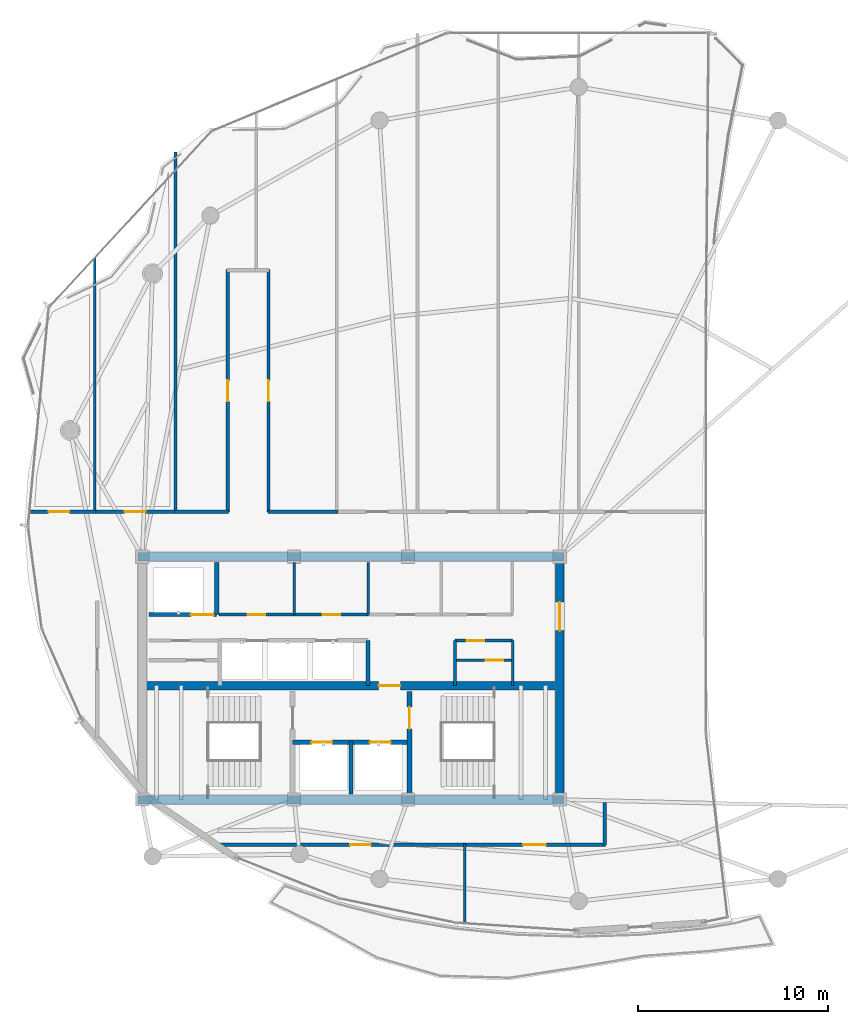
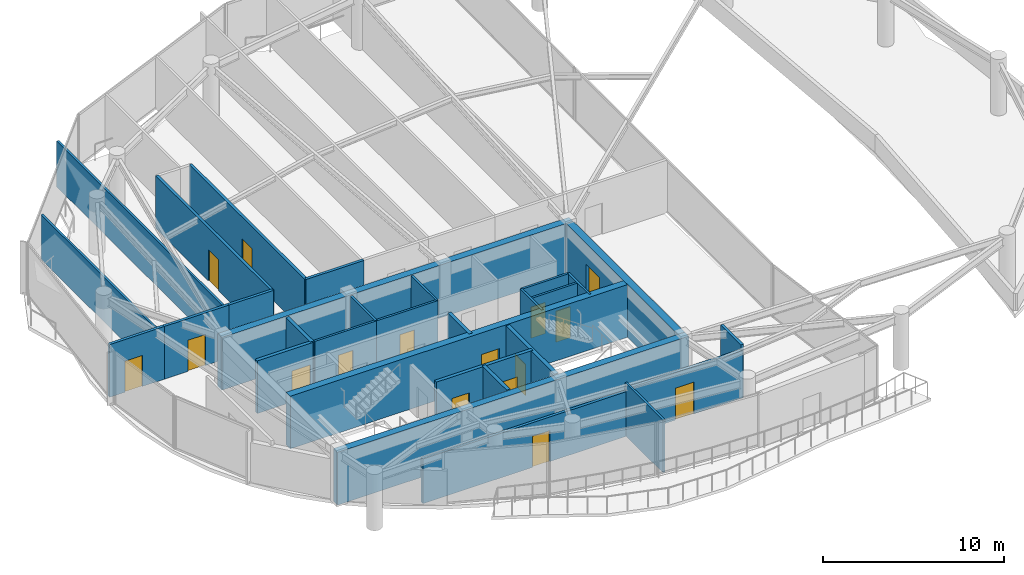
# One storey, part 19 of 23: 30 walls, 16 doors, 16 openings.
"""IFC4 building model written with IfcOpenShell, lengths in metres."""

from ifc_helpers import new_model, si_unit, direction, frame, frame_2d, origin, place, context, subcontext, project, spatial, rectangle, extrude, material, layer, layer_set, type_object, element, fill, save


model = new_model("IFC4")

# Units and contexts
model_context = context("Model", 3, precision=1e-05, world=origin(), true_north=direction((0.0, 1.0)))
body_context = subcontext(model_context, "Body", "Model", "MODEL_VIEW")
ifc_project = project(units=[si_unit("LENGTHUNIT", "METRE"), si_unit("AREAUNIT", "SQUARE_METRE"), si_unit("VOLUMEUNIT", "CUBIC_METRE"), si_unit("PLANEANGLEUNIT", "RADIAN"), si_unit("MASSUNIT", "GRAM", prefix="KILO")], contexts=[model_context])

# Site, building, storey
site_placement = place(None, origin())
site = spatial("IfcSite", under=ifc_project, at=site_placement, CompositionType="ELEMENT")
building_placement = place(site_placement, origin())
building = spatial("IfcBuilding", under=site, at=building_placement, Name="Kazevale Care Tower and Concert Hall", CompositionType="ELEMENT")
storey_placement = place(building_placement, frame((0.0, 0.0, 270.0)))
storey = spatial("IfcBuildingStorey", under=building, at=storey_placement, Name="L71", CompositionType="ELEMENT", Elevation=270.0)

# Wall, opening, door
ifc_material_1 = material(Name="Acoustic Gypsum on Steel Stud", Category="steel")
ifc_layer_1 = layer(ifc_material_1, 0.139892578125)
ifc_layer_set_1 = layer_set([ifc_layer_1], Name="Acoustic Gypsum on Steel Stud")
wall_type_1 = type_object("IfcWallType", Name="Acoustic Care & Suite Partition 140", PredefinedType="PARTITIONING", material=ifc_layer_set_1)
wall_1_placement = place(storey_placement, frame((26.050048828125, 33.35009765625, 0.0), z_axis=(0.0, 0.0, 1.0), x_axis=(1.0, 0.0, 0.0)))
wall_1 = element("IfcWall", 1, at=wall_1_placement, inside=storey, type_object=wall_type_1, Name="wall:L71:c_rpl1_s", PredefinedType="PARTITIONING", context=body_context, shape_type="SweptSolid", body=[
    extrude(rectangle(XDim=3.949951171875, YDim=0.139892578125, at=frame_2d((1.97509765625, 0.0))), origin(), (0.0, 0.0, 1.0), 3.56005859375),
])
opening_1_placement = place(wall_1_placement, frame((1.514892578125, 0.0, 0.0)))
opening_1 = element("IfcOpeningElement", 2, at=opening_1_placement, cuts=wall_1, Name="Opening ID-900", PredefinedType="OPENING", context=body_context, shape_type="SweptSolid", body=[
    extrude(rectangle(XDim=0.919921875, YDim=2.10009765625, at=frame_2d((0.4599609375, 1.050048828125))), frame((0.0, 0.079833984375, 0.0), z_axis=(0.0, -1.0, 0.0), x_axis=(1.0, 0.0, 0.0)), (0.0, 0.0, 1.0), 0.159912109375),
])
ifc_material_2 = material(Name="Oak Timber Fire Leaf", Category="wood")
door_type_1 = type_object("IfcDoorType", Name="Bathroom & Service Door 920x2100", OperationType="NOTDEFINED", PredefinedType="DOOR", material=ifc_material_2)
door_1_placement = place(opening_1_placement, origin())
door_1 = element("IfcDoor", 3, at=door_1_placement, inside=storey, type_object=door_type_1, Name="door:L71:d_rpl1", OperationType="SINGLE_SWING_LEFT", OverallHeight=2.10009765625, OverallWidth=0.919921875, PredefinedType="DOOR", context=body_context, shape_type="SweptSolid", body=[
    extrude(rectangle(XDim=0.919921875, YDim=2.10009765625, at=frame_2d((0.4599609375, 1.050048828125))), frame((0.0, 0.02490234375, 0.0), z_axis=(0.0, -1.0, 0.0), x_axis=(1.0, 0.0, 0.0)), (0.0, 0.0, 1.0), 0.050048828125),
])
fill(opening_1, door_1)

wall_2_placement = place(storey_placement, frame((30.0, 33.35009765625, 0.0), z_axis=(0.0, 0.0, 1.0), x_axis=(1.0, 0.0, 0.0)))
wall_2 = element("IfcWall", 4, at=wall_2_placement, inside=storey, type_object=wall_type_1, Name="wall:L71:c_rpl2_s", PredefinedType="PARTITIONING", context=body_context, shape_type="SweptSolid", body=[
    extrude(rectangle(XDim=3.919921875, YDim=0.139892578125, at=frame_2d((1.9599609375, 0.0))), origin(), (0.0, 0.0, 1.0), 3.56005859375),
])
opening_2_placement = place(wall_2_placement, frame((1.5, 0.0, 0.0)))
opening_2 = element("IfcOpeningElement", 5, at=opening_2_placement, cuts=wall_2, Name="Opening ID-900", PredefinedType="OPENING", context=body_context, shape_type="SweptSolid", body=[
    extrude(rectangle(XDim=0.919921875, YDim=2.10009765625, at=frame_2d((0.4599609375, 1.050048828125))), frame((0.0, 0.079833984375, 0.0), z_axis=(0.0, -1.0, 0.0), x_axis=(1.0, 0.0, 0.0)), (0.0, 0.0, 1.0), 0.159912109375),
])
door_2_placement = place(opening_2_placement, origin())
door_2 = element("IfcDoor", 6, at=door_2_placement, inside=storey, type_object=door_type_1, Name="door:L71:d_rpl2", OperationType="SINGLE_SWING_RIGHT", OverallHeight=2.10009765625, OverallWidth=0.919921875, PredefinedType="DOOR", context=body_context, shape_type="SweptSolid", body=[
    extrude(rectangle(XDim=0.919921875, YDim=2.10009765625, at=frame_2d((0.4599609375, 1.050048828125))), frame((0.0, 0.02490234375, 0.0), z_axis=(0.0, -1.0, 0.0), x_axis=(1.0, 0.0, 0.0)), (0.0, 0.0, 1.0), 0.050048828125),
])
fill(opening_2, door_2)

# Walls
for number, where, z_axis, x_axis, name in (
    (7, (30.0, 33.35009765625, 0.0), (0.0, 0.0, 1.0), (0.0, 1.0, 0.0), "wall:L71:c_rpl_m"),
    (8, (33.89990234375, 33.35009765625, 0.0), (0.0, 0.0, 1.0), (0.0, 1.0, 0.0), "wall:L71:c_rpl_e"),
):
    element("IfcWall", number, at=place(storey_placement, frame(where, z_axis=z_axis, x_axis=x_axis)), inside=storey, type_object=wall_type_1, Name=name, PredefinedType="PARTITIONING", context=body_context, shape_type="SweptSolid", body=[
        extrude(rectangle(XDim=2.75, YDim=0.139892578125, at=frame_2d((1.375, 0.0))), origin(), (0.0, 0.0, 1.0), 3.56005859375),
    ])
for number, where, z_axis, x_axis, name in (
    (9, (38.47998046875, 29.6201171875, 0.0), (0.0, 0.0, 1.0), (0.0, 1.0, 0.0), "wall:L71:kc_ew"),
    (10, (41.52001953125, 29.6201171875, 0.0), (0.0, 0.0, 1.0), (0.0, 1.0, 0.0), "wall:L71:kc_ee"),
):
    element("IfcWall", number, at=place(storey_placement, frame(where, z_axis=z_axis, x_axis=x_axis)), inside=storey, type_object=wall_type_1, Name=name, PredefinedType="PARTITIONING", context=body_context, shape_type="SweptSolid", body=[
        extrude(rectangle(XDim=2.35986328125, YDim=0.139892578125, at=frame_2d((1.179931640625, 0.0))), origin(), (0.0, 0.0, 1.0), 3.56005859375),
    ])

# Wall, opening, door
wall_3_placement = place(storey_placement, frame((38.47998046875, 30.949951171875, 0.0), z_axis=(0.0, 0.0, 1.0), x_axis=(1.0, 0.0, 0.0)))
wall_3 = element("IfcWall", 11, at=wall_3_placement, inside=storey, type_object=wall_type_1, Name="wall:L71:kc_em", PredefinedType="PARTITIONING", context=body_context, shape_type="SweptSolid", body=[
    extrude(rectangle(XDim=3.0400390625, YDim=0.139892578125, at=frame_2d((1.52001953125, 0.0))), origin(), (0.0, 0.0, 1.0), 3.56005859375),
])
opening_3_placement = place(wall_3_placement, frame((1.616943359375, 0.0, 0.0)))
opening_3 = element("IfcOpeningElement", 12, at=opening_3_placement, cuts=wall_3, Name="Opening ID-900", PredefinedType="OPENING", context=body_context, shape_type="SweptSolid", body=[
    extrude(rectangle(XDim=0.919921875, YDim=2.10009765625, at=frame_2d((0.4599609375, 1.050048828125))), frame((0.0, 0.079833984375, 0.0), z_axis=(0.0, -1.0, 0.0), x_axis=(1.0, 0.0, 0.0)), (0.0, 0.0, 1.0), 0.159912109375),
])
door_3_placement = place(opening_3_placement, origin())
door_3 = element("IfcDoor", 13, at=door_3_placement, inside=storey, type_object=door_type_1, Name="door:L71:d_kceb", OperationType="SINGLE_SWING_RIGHT", OverallHeight=2.10009765625, OverallWidth=0.919921875, PredefinedType="DOOR", context=body_context, shape_type="SweptSolid", body=[
    extrude(rectangle(XDim=0.919921875, YDim=2.10009765625, at=frame_2d((0.4599609375, 1.050048828125))), frame((0.0, 0.02490234375, 0.0), z_axis=(0.0, -1.0, 0.0), x_axis=(1.0, 0.0, 0.0)), (0.0, 0.0, 1.0), 0.050048828125),
])
fill(opening_3, door_3)

wall_4_placement = place(storey_placement, frame((38.47998046875, 31.97998046875, 0.0), z_axis=(0.0, 0.0, 1.0), x_axis=(1.0, 0.0, 0.0)))
wall_4 = element("IfcWall", 14, at=wall_4_placement, inside=storey, type_object=wall_type_1, Name="wall:L71:kc_en", PredefinedType="PARTITIONING", context=body_context, shape_type="SweptSolid", body=[
    extrude(rectangle(XDim=3.0400390625, YDim=0.139892578125, at=frame_2d((1.52001953125, 0.0))), origin(), (0.0, 0.0, 1.0), 3.56005859375),
])
opening_4_placement = place(wall_4_placement, frame((0.614013671875, 0.0, 0.0)))
opening_4 = element("IfcOpeningElement", 15, at=opening_4_placement, cuts=wall_4, Name="Opening ID-900", PredefinedType="OPENING", context=body_context, shape_type="SweptSolid", body=[
    extrude(rectangle(XDim=0.919921875, YDim=2.10009765625, at=frame_2d((0.4599609375, 1.050048828125))), frame((0.0, 0.079833984375, 0.0), z_axis=(0.0, -1.0, 0.0), x_axis=(1.0, 0.0, 0.0)), (0.0, 0.0, 1.0), 0.159912109375),
])
door_4_placement = place(opening_4_placement, origin())
door_4 = element("IfcDoor", 16, at=door_4_placement, inside=storey, type_object=door_type_1, Name="door:L71:d_kcet", OperationType="SINGLE_SWING_LEFT", OverallHeight=2.10009765625, OverallWidth=0.919921875, PredefinedType="DOOR", context=body_context, shape_type="SweptSolid", body=[
    extrude(rectangle(XDim=0.919921875, YDim=2.10009765625, at=frame_2d((0.4599609375, 1.050048828125))), frame((0.0, 0.02490234375, 0.0), z_axis=(0.0, -1.0, 0.0), x_axis=(1.0, 0.0, 0.0)), (0.0, 0.0, 1.0), 0.050048828125),
])
fill(opening_4, door_4)

# Walls
wall_5_placement = place(storey_placement, frame((19.5, 52.141357421875, 0.0), z_axis=(0.0, 0.0, 1.0), x_axis=(0.0, -1.0, 0.0)))
element("IfcWall", 17, at=wall_5_placement, inside=storey, type_object=wall_type_1, Name="wall:L71:auto_017", PredefinedType="PARTITIONING", context=body_context, shape_type="SweptSolid", body=[
    extrude(rectangle(XDim=13.396240234375, YDim=0.139892578125, at=frame_2d((6.6982421875, 0.0))), origin(), (0.0, 0.0, 1.0), 3.01708984375),
])
wall_6_placement = place(storey_placement, frame((23.75, 57.737060546875, 0.0), z_axis=(0.0, 0.0, 1.0), x_axis=(0.0, -1.0, 0.0)))
element("IfcWall", 18, at=wall_6_placement, inside=storey, type_object=wall_type_1, Name="wall:L71:auto_018", PredefinedType="PARTITIONING", context=body_context, shape_type="SweptSolid", body=[
    extrude(rectangle(XDim=18.991943359375, YDim=0.139892578125, at=frame_2d((9.49609375, 0.0))), origin(), (0.0, 0.0, 1.0), 3.090087890625),
])
wall_7_placement = place(storey_placement, frame((39.0, 21.2548828125, 0.0), z_axis=(0.0, 0.0, 1.0), x_axis=(0.0, -1.0, 0.0)))
element("IfcWall", 19, at=wall_7_placement, inside=storey, type_object=wall_type_1, Name="wall:L71:auto_024", PredefinedType="PARTITIONING", context=body_context, shape_type="SweptSolid", body=[
    extrude(rectangle(XDim=4.173828125, YDim=0.139892578125, at=frame_2d((2.0869140625, 0.0))), origin(), (0.0, 0.0, 1.0), 3.56005859375),
])
ifc_material_3 = material(Name="Concrete C50", Category="concrete")
ifc_layer_2 = layer(ifc_material_3, 0.449951171875)
ifc_layer_set_2 = layer_set([ifc_layer_2], Name="Concrete C50")
wall_type_2 = type_object("IfcWallType", Name="Core Shear Wall 450 C50", PredefinedType="SHEAR", material=ifc_layer_set_2)
for number, where, z_axis, x_axis, name in (
    (20, (21.77490234375, 23.60009765625, 0.0), (0.0, 0.0, 1.0), (1.0, 0.0, 0.0), "wall:L71:core:S"),
    (21, (21.77490234375, 36.39990234375, 0.0), (0.0, 0.0, 1.0), (1.0, 0.0, 0.0), "wall:L71:core:N"),
):
    element("IfcWall", number, at=place(storey_placement, frame(where, z_axis=z_axis, x_axis=x_axis)), inside=storey, type_object=wall_type_2, Name=name, PredefinedType="SHEAR", context=body_context, shape_type="SweptSolid", body=[
        extrude(rectangle(XDim=22.4501953125, YDim=0.449951171875, at=frame_2d((11.22509765625, 0.0))), origin(), (0.0, 0.0, 1.0), 3.56005859375),
    ])

# Wall, opening, door
wall_8_placement = place(storey_placement, frame((44.0, 23.824951171875, 0.0), z_axis=(0.0, 0.0, 1.0), x_axis=(0.0, 1.0, 0.0)))
wall_8 = element("IfcWall", 22, at=wall_8_placement, inside=storey, type_object=wall_type_2, Name="wall:L71:core:E", PredefinedType="SHEAR", context=body_context, shape_type="SweptSolid", body=[
    extrude(rectangle(XDim=12.35009765625, YDim=0.449951171875, at=frame_2d((6.175048828125, 0.0))), origin(), (0.0, 0.0, 1.0), 3.56005859375),
])
opening_5_placement = place(wall_8_placement, frame((8.675048828125, 0.0, 0.0)))
opening_5 = element("IfcOpeningElement", 23, at=opening_5_placement, cuts=wall_8, Name="Opening FD-60D", PredefinedType="OPENING", context=body_context, shape_type="SweptSolid", body=[
    extrude(rectangle(XDim=1.5, YDim=2.14990234375, at=frame_2d((0.75, 1.074951171875))), frame((0.0, 0.23486328125, 0.0), z_axis=(0.0, -1.0, 0.0), x_axis=(1.0, 0.0, 0.0)), (0.0, 0.0, 1.0), 0.469970703125),
])
door_type_2 = type_object("IfcDoorType", Name="Double Lobby & Auditorium Fire Door 1500x2150", OperationType="NOTDEFINED", PredefinedType="DOOR", material=ifc_material_2)
door_5_placement = place(opening_5_placement, origin())
door_5 = element("IfcDoor", 24, at=door_5_placement, inside=storey, type_object=door_type_2, Name="door:L71:core_east_out", OperationType="DOUBLE_DOOR_SINGLE_SWING", OverallHeight=2.14990234375, OverallWidth=1.5, PredefinedType="DOOR", context=body_context, shape_type="SweptSolid", body=[
    extrude(rectangle(XDim=1.5, YDim=2.14990234375, at=frame_2d((0.75, 1.074951171875))), frame((0.0, 0.02490234375, 0.0), z_axis=(0.0, -1.0, 0.0), x_axis=(1.0, 0.0, 0.0)), (0.0, 0.0, 1.0), 0.050048828125),
])
fill(opening_5, door_5)

wall_9_placement = place(storey_placement, frame((22.22509765625, 29.60009765625, 0.0), z_axis=(0.0, 0.0, 1.0), x_axis=(1.0, 0.0, 0.0)))
wall_9 = element("IfcWall", 25, at=wall_9_placement, inside=storey, type_object=wall_type_2, Name="wall:L71:core:M", PredefinedType="SHEAR", context=body_context, shape_type="SweptSolid", body=[
    extrude(rectangle(XDim=21.5498046875, YDim=0.449951171875, at=frame_2d((10.77490234375, 0.0))), origin(), (0.0, 0.0, 1.0), 3.56005859375),
])
opening_6_placement = place(wall_9_placement, frame((12.22509765625, 0.0, 0.0)))
opening_6 = element("IfcOpeningElement", 26, at=opening_6_placement, cuts=wall_9, Name="Opening FD-90", PredefinedType="OPENING", context=body_context, shape_type="SweptSolid", body=[
    extrude(rectangle(XDim=1.14990234375, YDim=2.10009765625, at=frame_2d((0.574951171875, 1.050048828125))), frame((0.0, 0.23486328125, 0.0), z_axis=(0.0, -1.0, 0.0), x_axis=(1.0, 0.0, 0.0)), (0.0, 0.0, 1.0), 0.469970703125),
])
ifc_material_4 = material(Name="Steel ASTM A572 Gr 50", Category="steel")
door_type_3 = type_object("IfcDoorType", Name="Pressurized Stair & Lobby Fire Door 1150x2100", OperationType="NOTDEFINED", PredefinedType="DOOR", material=ifc_material_4)
door_6_placement = place(opening_6_placement, origin())
door_6 = element("IfcDoor", 27, at=door_6_placement, inside=storey, type_object=door_type_3, Name="door:L71:ff_to_pax", OperationType="SINGLE_SWING_LEFT", OverallHeight=2.10009765625, OverallWidth=1.14990234375, PredefinedType="DOOR", context=body_context, shape_type="SweptSolid", body=[
    extrude(rectangle(XDim=1.14990234375, YDim=2.10009765625, at=frame_2d((0.574951171875, 1.050048828125))), frame((0.0, 0.02490234375, 0.0), z_axis=(0.0, -1.0, 0.0), x_axis=(1.0, 0.0, 0.0)), (0.0, 0.0, 1.0), 0.050048828125),
])
fill(opening_6, door_6)

# Wall, openings, doors
ifc_material_5 = material(Name="Concrete C40", Category="concrete")
ifc_layer_3 = layer(ifc_material_5, 0.219970703125)
ifc_layer_set_3 = layer_set([ifc_layer_3], Name="Concrete C40")
wall_type_3 = type_object("IfcWallType", Name="Elevator Hoistway Shaft Wall 220", PredefinedType="SOLIDWALL", material=ifc_layer_set_3)
wall_10_placement = place(storey_placement, frame((29.919921875, 26.6201171875, 0.0), z_axis=(0.0, 0.0, 1.0), x_axis=(1.0, 0.0, 0.0)))
wall_10 = element("IfcWall", 28, at=wall_10_placement, inside=storey, type_object=wall_type_3, Name="wall:L71:c_ffl_n", PredefinedType="SOLIDWALL", context=body_context, shape_type="SweptSolid", body=[
    extrude(rectangle(XDim=6.16015625, YDim=0.219970703125, at=frame_2d((3.080078125, 0.0))), origin(), (0.0, 0.0, 1.0), 3.56005859375),
])
opening_7_placement = place(wall_10_placement, frame((0.989990234375, 0.0, 0.0)))
opening_7 = element("IfcOpeningElement", 29, at=opening_7_placement, cuts=wall_10, Name="Opening LD-FF", PredefinedType="OPENING", context=body_context, shape_type="SweptSolid", body=[
    extrude(rectangle(XDim=1.10009765625, YDim=2.10009765625, at=frame_2d((0.550048828125, 1.050048828125))), frame((0.0, 0.119873046875, 0.0), z_axis=(0.0, -1.0, 0.0), x_axis=(1.0, 0.0, 0.0)), (0.0, 0.0, 1.0), 0.239990234375),
])
opening_8_placement = place(wall_10_placement, frame((4.070068359375, 0.0, 0.0)))
opening_8 = element("IfcOpeningElement", 30, at=opening_8_placement, cuts=wall_10, Name="Opening LD-FF", PredefinedType="OPENING", context=body_context, shape_type="SweptSolid", body=[
    extrude(rectangle(XDim=1.10009765625, YDim=2.10009765625, at=frame_2d((0.550048828125, 1.050048828125))), frame((0.0, 0.119873046875, 0.0), z_axis=(0.0, -1.0, 0.0), x_axis=(1.0, 0.0, 0.0)), (0.0, 0.0, 1.0), 0.239990234375),
])
ifc_material_6 = material(Name="Stainless Steel 316", Category="steel")
door_type_4 = type_object("IfcDoorType", Name="Emergency Lift Sliding Landing Door 1100x2100", OperationType="NOTDEFINED", PredefinedType="DOOR", material=ifc_material_6)
door_7_placement = place(opening_7_placement, origin())
door_7 = element("IfcDoor", 31, at=door_7_placement, inside=storey, type_object=door_type_4, Name="door:L71:ld_ffl1", OperationType="SLIDING_TO_LEFT", OverallHeight=2.10009765625, OverallWidth=1.10009765625, PredefinedType="DOOR", context=body_context, shape_type="SweptSolid", body=[
    extrude(rectangle(XDim=1.10009765625, YDim=2.10009765625, at=frame_2d((0.550048828125, 1.050048828125))), frame((0.0, 0.02490234375, 0.0), z_axis=(0.0, -1.0, 0.0), x_axis=(1.0, 0.0, 0.0)), (0.0, 0.0, 1.0), 0.050048828125),
])
fill(opening_7, door_7)
door_8_placement = place(opening_8_placement, origin())
door_8 = element("IfcDoor", 32, at=door_8_placement, inside=storey, type_object=door_type_4, Name="door:L71:ld_ffl2", OperationType="SLIDING_TO_RIGHT", OverallHeight=2.10009765625, OverallWidth=1.10009765625, PredefinedType="DOOR", context=body_context, shape_type="SweptSolid", body=[
    extrude(rectangle(XDim=1.10009765625, YDim=2.10009765625, at=frame_2d((0.550048828125, 1.050048828125))), frame((0.0, 0.02490234375, 0.0), z_axis=(0.0, -1.0, 0.0), x_axis=(1.0, 0.0, 0.0)), (0.0, 0.0, 1.0), 0.050048828125),
])
fill(opening_8, door_8)

# Walls
wall_11_placement = place(storey_placement, frame((33.0, 23.89990234375, 0.0), z_axis=(0.0, 0.0, 1.0), x_axis=(0.0, 1.0, 0.0)))
element("IfcWall", 33, at=wall_11_placement, inside=storey, type_object=wall_type_3, Name="wall:L71:c_ffl_m", PredefinedType="SOLIDWALL", context=body_context, shape_type="SweptSolid", body=[
    extrude(rectangle(XDim=2.72021484375, YDim=0.219970703125, at=frame_2d((1.360107421875, 0.0))), origin(), (0.0, 0.0, 1.0), 3.56005859375),
])
wall_12_placement = place(storey_placement, frame((25.919921875, 33.35009765625, 0.0), z_axis=(0.0, 0.0, 1.0), x_axis=(0.0, 1.0, 0.0)))
element("IfcWall", 34, at=wall_12_placement, inside=storey, type_object=wall_type_3, Name="wall:L71:c_svl_e", PredefinedType="SOLIDWALL", context=body_context, shape_type="SweptSolid", body=[
    extrude(rectangle(XDim=2.72998046875, YDim=0.219970703125, at=frame_2d((1.364990234375, 0.0))), origin(), (0.0, 0.0, 1.0), 3.56005859375),
])

# Wall, opening, door
wall_13_placement = place(storey_placement, frame((22.35009765625, 33.35009765625, 0.0), z_axis=(0.0, 0.0, 1.0), x_axis=(1.0, 0.0, 0.0)))
wall_13 = element("IfcWall", 35, at=wall_13_placement, inside=storey, type_object=wall_type_3, Name="wall:L71:c_svl_s", PredefinedType="SOLIDWALL", context=body_context, shape_type="SweptSolid", body=[
    extrude(rectangle(XDim=3.56982421875, YDim=0.219970703125, at=frame_2d((1.784912109375, 0.0))), origin(), (0.0, 0.0, 1.0), 3.56005859375),
])
opening_9_placement = place(wall_13_placement, frame((2.212890625, 0.0, 0.0)))
opening_9 = element("IfcOpeningElement", 36, at=opening_9_placement, cuts=wall_13, Name="Opening LD-SV", PredefinedType="OPENING", context=body_context, shape_type="SweptSolid", body=[
    extrude(rectangle(XDim=1.199951171875, YDim=2.10009765625, at=frame_2d((0.60009765625, 1.050048828125))), frame((0.0, 0.119873046875, 0.0), z_axis=(0.0, -1.0, 0.0), x_axis=(1.0, 0.0, 0.0)), (0.0, 0.0, 1.0), 0.239990234375),
])
door_type_5 = type_object("IfcDoorType", Name="Service Lift Sliding Landing Door 1200x2100", OperationType="NOTDEFINED", PredefinedType="DOOR", material=ifc_material_6)
door_9_placement = place(opening_9_placement, origin())
door_9 = element("IfcDoor", 37, at=door_9_placement, inside=storey, type_object=door_type_5, Name="door:L71:ld_svl1", OperationType="SLIDING_TO_LEFT", OverallHeight=2.10009765625, OverallWidth=1.199951171875, PredefinedType="DOOR", context=body_context, shape_type="SweptSolid", body=[
    extrude(rectangle(XDim=1.199951171875, YDim=2.10009765625, at=frame_2d((0.60009765625, 1.050048828125))), frame((0.0, 0.02490234375, 0.0), z_axis=(0.0, -1.0, 0.0), x_axis=(1.0, 0.0, 0.0)), (0.0, 0.0, 1.0), 0.050048828125),
])
fill(opening_9, door_9)

# Wall
wall_14_placement = place(storey_placement, frame((33.89990234375, 29.6201171875, 0.0), z_axis=(0.0, 0.0, 1.0), x_axis=(0.0, 1.0, 0.0)))
element("IfcWall", 38, at=wall_14_placement, inside=storey, type_object=wall_type_3, Name="wall:L71:c_ph_e", PredefinedType="SOLIDWALL", context=body_context, shape_type="SweptSolid", body=[
    extrude(rectangle(XDim=2.35986328125, YDim=0.219970703125, at=frame_2d((1.179931640625, 0.0))), origin(), (0.0, 0.0, 1.0), 3.56005859375),
])

# Wall, opening, door
ifc_material_7 = material(Name="Concrete C40 and Acoustic Gypsum", Category="concrete")
ifc_layer_4 = layer(ifc_material_7, 0.179931640625)
ifc_layer_set_4 = layer_set([ifc_layer_4], Name="Concrete C40 and Acoustic Gypsum")
wall_type_4 = type_object("IfcWallType", Name="Fire-Rated Corridor & Party Wall 180", PredefinedType="PARTITIONING", material=ifc_layer_set_4)
wall_15_placement = place(storey_placement, frame((16.0634765625, 38.77490234375, 0.0), z_axis=(0.0, 0.0, 1.0), x_axis=(1.0, 0.0, 0.0)))
wall_15 = element("IfcWall", 39, at=wall_15_placement, inside=storey, type_object=wall_type_4, Name="wall:L71:auto_001", PredefinedType="PARTITIONING", context=body_context, shape_type="SweptSolid", body=[
    extrude(rectangle(XDim=3.50146484375, YDim=0.179931640625, at=frame_2d((1.750732421875, 0.0))), origin(), (0.0, 0.0, 1.0), 3.56005859375),
])
opening_10_placement = place(wall_15_placement, frame((0.9951171875, 0.0, 0.0)))
opening_10 = element("IfcOpeningElement", 40, at=opening_10_placement, cuts=wall_15, Name="Opening ID-1100", PredefinedType="OPENING", context=body_context, shape_type="SweptSolid", body=[
    extrude(rectangle(XDim=1.10009765625, YDim=2.10009765625, at=frame_2d((0.550048828125, 1.050048828125))), frame((0.0, 0.099853515625, 0.0), z_axis=(0.0, -1.0, 0.0), x_axis=(1.0, 0.0, 0.0)), (0.0, 0.0, 1.0), 0.199951171875),
])
door_type_6 = type_object("IfcDoorType", Name="Care Bedroom Accessible Door 1100x2100", OperationType="NOTDEFINED", PredefinedType="DOOR", material=ifc_material_2)
door_10_placement = place(opening_10_placement, origin())
door_10 = element("IfcDoor", 41, at=door_10_placement, inside=storey, type_object=door_type_6, Name="door:L71:ad_001", OperationType="SINGLE_SWING_LEFT", OverallHeight=2.10009765625, OverallWidth=1.10009765625, PredefinedType="DOOR", context=body_context, shape_type="SweptSolid", body=[
    extrude(rectangle(XDim=1.10009765625, YDim=2.10009765625, at=frame_2d((0.550048828125, 1.050048828125))), frame((0.0, 0.02490234375, 0.0), z_axis=(0.0, -1.0, 0.0), x_axis=(1.0, 0.0, 0.0)), (0.0, 0.0, 1.0), 0.050048828125),
])
fill(opening_10, door_10)

wall_16_placement = place(storey_placement, frame((19.43505859375, 38.77490234375, 0.0), z_axis=(0.0, 0.0, 1.0), x_axis=(1.0, 0.0, 0.0)))
wall_16 = element("IfcWall", 42, at=wall_16_placement, inside=storey, type_object=wall_type_4, Name="wall:L71:auto_002", PredefinedType="PARTITIONING", context=body_context, shape_type="SweptSolid", body=[
    extrude(rectangle(XDim=4.3798828125, YDim=0.179931640625, at=frame_2d((2.18994140625, 0.0))), origin(), (0.0, 0.0, 1.0), 3.56005859375),
])
opening_11_placement = place(wall_16_placement, frame((1.639892578125, 0.0, 0.0)))
opening_11 = element("IfcOpeningElement", 43, at=opening_11_placement, cuts=wall_16, Name="Opening ID-1100", PredefinedType="OPENING", context=body_context, shape_type="SweptSolid", body=[
    extrude(rectangle(XDim=1.10009765625, YDim=2.10009765625, at=frame_2d((0.550048828125, 1.050048828125))), frame((0.0, 0.099853515625, 0.0), z_axis=(0.0, -1.0, 0.0), x_axis=(1.0, 0.0, 0.0)), (0.0, 0.0, 1.0), 0.199951171875),
])
door_11_placement = place(opening_11_placement, origin())
door_11 = element("IfcDoor", 44, at=door_11_placement, inside=storey, type_object=door_type_6, Name="door:L71:ad_002", OperationType="SINGLE_SWING_LEFT", OverallHeight=2.10009765625, OverallWidth=1.10009765625, PredefinedType="DOOR", context=body_context, shape_type="SweptSolid", body=[
    extrude(rectangle(XDim=1.10009765625, YDim=2.10009765625, at=frame_2d((0.550048828125, 1.050048828125))), frame((0.0, 0.02490234375, 0.0), z_axis=(0.0, -1.0, 0.0), x_axis=(1.0, 0.0, 0.0)), (0.0, 0.0, 1.0), 0.050048828125),
])
fill(opening_11, door_11)

wall_17_placement = place(storey_placement, frame((26.5, 38.7451171875, 0.0), z_axis=(0.0, 0.0, 1.0), x_axis=(0.0, 1.0, 0.0)))
wall_17 = element("IfcWall", 45, at=wall_17_placement, inside=storey, type_object=wall_type_4, Name="wall:L71:auto_003", PredefinedType="PARTITIONING", context=body_context, shape_type="SweptSolid", body=[
    extrude(rectangle(XDim=12.784912109375, YDim=0.179931640625, at=frame_2d((6.392578125, 0.0))), origin(), (0.0, 0.0, 1.0), 3.56005859375),
])
opening_12_placement = place(wall_17_placement, frame((5.843017578125, 0.0, 0.0)))
opening_12 = element("IfcOpeningElement", 46, at=opening_12_placement, cuts=wall_17, Name="Opening ID-1100", PredefinedType="OPENING", context=body_context, shape_type="SweptSolid", body=[
    extrude(rectangle(XDim=1.10009765625, YDim=2.10009765625, at=frame_2d((0.550048828125, 1.050048828125))), frame((0.0, 0.099853515625, 0.0), z_axis=(0.0, -1.0, 0.0), x_axis=(1.0, 0.0, 0.0)), (0.0, 0.0, 1.0), 0.199951171875),
])
door_12_placement = place(opening_12_placement, origin())
door_12 = element("IfcDoor", 47, at=door_12_placement, inside=storey, type_object=door_type_6, Name="door:L71:ad_003", OperationType="SINGLE_SWING_LEFT", OverallHeight=2.10009765625, OverallWidth=1.10009765625, PredefinedType="DOOR", context=body_context, shape_type="SweptSolid", body=[
    extrude(rectangle(XDim=1.10009765625, YDim=2.10009765625, at=frame_2d((0.550048828125, 1.050048828125))), frame((0.0, 0.02490234375, 0.0), z_axis=(0.0, -1.0, 0.0), x_axis=(1.0, 0.0, 0.0)), (0.0, 0.0, 1.0), 0.050048828125),
])
fill(opening_12, door_12)

# Wall
wall_18_placement = place(storey_placement, frame((23.68505859375, 38.77490234375, 0.0), z_axis=(0.0, 0.0, 1.0), x_axis=(1.0, 0.0, 0.0)))
element("IfcWall", 48, at=wall_18_placement, inside=storey, type_object=wall_type_4, Name="wall:L71:auto_004", PredefinedType="PARTITIONING", context=body_context, shape_type="SweptSolid", body=[
    extrude(rectangle(XDim=2.844970703125, YDim=0.179931640625, at=frame_2d((1.42236328125, 0.0))), origin(), (0.0, 0.0, 1.0), 3.56005859375),
])

# Wall, opening, door
wall_19_placement = place(storey_placement, frame((28.64990234375, 51.530029296875, 0.0), z_axis=(0.0, 0.0, 1.0), x_axis=(0.0, -1.0, 0.0)))
wall_19 = element("IfcWall", 49, at=wall_19_placement, inside=storey, type_object=wall_type_4, Name="wall:L71:auto_006", PredefinedType="PARTITIONING", context=body_context, shape_type="SweptSolid", body=[
    extrude(rectangle(XDim=12.784912109375, YDim=0.179931640625, at=frame_2d((6.392578125, 0.0))), origin(), (0.0, 0.0, 1.0), 3.56005859375),
])
opening_13_placement = place(wall_19_placement, frame((5.843017578125, 0.0, 0.0)))
opening_13 = element("IfcOpeningElement", 50, at=opening_13_placement, cuts=wall_19, Name="Opening ID-1100", PredefinedType="OPENING", context=body_context, shape_type="SweptSolid", body=[
    extrude(rectangle(XDim=1.10009765625, YDim=2.10009765625, at=frame_2d((0.550048828125, 1.050048828125))), frame((0.0, 0.099853515625, 0.0), z_axis=(0.0, -1.0, 0.0), x_axis=(1.0, 0.0, 0.0)), (0.0, 0.0, 1.0), 0.199951171875),
])
door_13_placement = place(opening_13_placement, origin())
door_13 = element("IfcDoor", 51, at=door_13_placement, inside=storey, type_object=door_type_6, Name="door:L71:ad_006", OperationType="SINGLE_SWING_LEFT", OverallHeight=2.10009765625, OverallWidth=1.10009765625, PredefinedType="DOOR", context=body_context, shape_type="SweptSolid", body=[
    extrude(rectangle(XDim=1.10009765625, YDim=2.10009765625, at=frame_2d((0.550048828125, 1.050048828125))), frame((0.0, 0.02490234375, 0.0), z_axis=(0.0, -1.0, 0.0), x_axis=(1.0, 0.0, 0.0)), (0.0, 0.0, 1.0), 0.050048828125),
])
fill(opening_13, door_13)

# Wall
wall_20_placement = place(storey_placement, frame((28.6201171875, 38.77490234375, 0.0), z_axis=(0.0, 0.0, 1.0), x_axis=(1.0, 0.0, 0.0)))
element("IfcWall", 52, at=wall_20_placement, inside=storey, type_object=wall_type_4, Name="wall:L71:auto_007", PredefinedType="PARTITIONING", context=body_context, shape_type="SweptSolid", body=[
    extrude(rectangle(XDim=3.69482421875, YDim=0.179931640625, at=frame_2d((1.847412109375, 0.0))), origin(), (0.0, 0.0, 1.0), 3.56005859375),
])

# Wall, opening, door
wall_21_placement = place(storey_placement, frame((39.06494140625, 21.22509765625, 0.0), z_axis=(0.0, 0.0, 1.0), x_axis=(-1.0, 0.0, 0.0)))
wall_21 = element("IfcWall", 53, at=wall_21_placement, inside=storey, type_object=wall_type_4, Name="wall:L71:auto_013", PredefinedType="PARTITIONING", context=body_context, shape_type="SweptSolid", body=[
    extrude(rectangle(XDim=13.130126953125, YDim=0.179931640625, at=frame_2d((6.56494140625, 0.0))), origin(), (0.0, 0.0, 1.0), 3.01708984375),
])
opening_14_placement = place(wall_21_placement, frame((5.014892578125, 0.0, 0.0)))
opening_14 = element("IfcOpeningElement", 54, at=opening_14_placement, cuts=wall_21, Name="Opening ID-1100", PredefinedType="OPENING", context=body_context, shape_type="SweptSolid", body=[
    extrude(rectangle(XDim=1.10009765625, YDim=2.10009765625, at=frame_2d((0.550048828125, 1.050048828125))), frame((0.0, 0.099853515625, 0.0), z_axis=(0.0, -1.0, 0.0), x_axis=(1.0, 0.0, 0.0)), (0.0, 0.0, 1.0), 0.199951171875),
])
door_14_placement = place(opening_14_placement, origin())
door_14 = element("IfcDoor", 55, at=door_14_placement, inside=storey, type_object=door_type_6, Name="door:L71:ad_013", OperationType="SINGLE_SWING_LEFT", OverallHeight=2.10009765625, OverallWidth=1.10009765625, PredefinedType="DOOR", context=body_context, shape_type="SweptSolid", body=[
    extrude(rectangle(XDim=1.10009765625, YDim=2.10009765625, at=frame_2d((0.550048828125, 1.050048828125))), frame((0.0, 0.02490234375, 0.0), z_axis=(0.0, -1.0, 0.0), x_axis=(1.0, 0.0, 0.0)), (0.0, 0.0, 1.0), 0.050048828125),
])
fill(opening_14, door_14)

wall_22_placement = place(storey_placement, frame((46.405029296875, 21.22509765625, 0.0), z_axis=(0.0, 0.0, 1.0), x_axis=(-1.0, 0.0, 0.0)))
wall_22 = element("IfcWall", 56, at=wall_22_placement, inside=storey, type_object=wall_type_4, Name="wall:L71:auto_014", PredefinedType="PARTITIONING", context=body_context, shape_type="SweptSolid", body=[
    extrude(rectangle(XDim=7.469970703125, YDim=0.179931640625, at=frame_2d((3.73486328125, 0.0))), origin(), (0.0, 0.0, 1.0), 3.196044921875),
])
opening_15_placement = place(wall_22_placement, frame((3.135009765625, 0.0, 0.0)))
opening_15 = element("IfcOpeningElement", 57, at=opening_15_placement, cuts=wall_22, Name="Opening ID-1200", PredefinedType="OPENING", context=body_context, shape_type="SweptSolid", body=[
    extrude(rectangle(XDim=1.199951171875, YDim=2.14990234375, at=frame_2d((0.60009765625, 1.074951171875))), frame((0.0, 0.099853515625, 0.0), z_axis=(0.0, -1.0, 0.0), x_axis=(1.0, 0.0, 0.0)), (0.0, 0.0, 1.0), 0.199951171875),
])
door_type_7 = type_object("IfcDoorType", Name="Clinical & Therapy Door 1200x2150", OperationType="NOTDEFINED", PredefinedType="DOOR", material=ifc_material_2)
door_15_placement = place(opening_15_placement, origin())
door_15 = element("IfcDoor", 58, at=door_15_placement, inside=storey, type_object=door_type_7, Name="door:L71:ad_014", OperationType="SINGLE_SWING_LEFT", OverallHeight=2.14990234375, OverallWidth=1.199951171875, PredefinedType="DOOR", context=body_context, shape_type="SweptSolid", body=[
    extrude(rectangle(XDim=1.199951171875, YDim=2.14990234375, at=frame_2d((0.60009765625, 1.074951171875))), frame((0.0, 0.02490234375, 0.0), z_axis=(0.0, -1.0, 0.0), x_axis=(1.0, 0.0, 0.0)), (0.0, 0.0, 1.0), 0.050048828125),
])
fill(opening_15, door_15)

# Wall
wall_23_placement = place(storey_placement, frame((46.375, 23.43994140625, 0.0), z_axis=(0.0, 0.0, 1.0), x_axis=(0.0, -1.0, 0.0)))
element("IfcWall", 59, at=wall_23_placement, inside=storey, type_object=wall_type_4, Name="wall:L71:auto_015", PredefinedType="PARTITIONING", context=body_context, shape_type="SweptSolid", body=[
    extrude(rectangle(XDim=2.244873046875, YDim=0.179931640625, at=frame_2d((1.12255859375, 0.0))), origin(), (0.0, 0.0, 1.0), 3.56005859375),
])

# Wall, opening, door
ifc_layer_5 = layer(ifc_material_5, 0.25)
ifc_layer_set_5 = layer_set([ifc_layer_5], Name="Concrete C40")
wall_type_5 = type_object("IfcWallType", Name="Pressurized Stair Shaft Wall 250", PredefinedType="SOLIDWALL", material=ifc_layer_set_5)
wall_24_placement = place(storey_placement, frame((36.080078125, 23.89990234375, 0.0), z_axis=(0.0, 0.0, 1.0), x_axis=(0.0, 1.0, 0.0)))
wall_24 = element("IfcWall", 60, at=wall_24_placement, inside=storey, type_object=wall_type_5, Name="wall:L71:c_st2_w", PredefinedType="SOLIDWALL", context=body_context, shape_type="SweptSolid", body=[
    extrude(rectangle(XDim=5.400146484375, YDim=0.25, at=frame_2d((2.7001953125, 0.0))), origin(), (0.0, 0.0, 1.0), 3.56005859375),
])
opening_16_placement = place(wall_24_placement, frame((3.4208984375, 0.0, 0.0)))
opening_16 = element("IfcOpeningElement", 61, at=opening_16_placement, cuts=wall_24, Name="Opening FD-90", PredefinedType="OPENING", context=body_context, shape_type="SweptSolid", body=[
    extrude(rectangle(XDim=1.14990234375, YDim=2.10009765625, at=frame_2d((0.574951171875, 1.050048828125))), frame((0.0, 0.135009765625, 0.0), z_axis=(0.0, -1.0, 0.0), x_axis=(1.0, 0.0, 0.0)), (0.0, 0.0, 1.0), 0.27001953125),
])
door_16_placement = place(opening_16_placement, origin())
door_16 = element("IfcDoor", 62, at=door_16_placement, inside=storey, type_object=door_type_3, Name="door:L71:st2", OperationType="SINGLE_SWING_LEFT", OverallHeight=2.10009765625, OverallWidth=1.14990234375, PredefinedType="DOOR", context=body_context, shape_type="SweptSolid", body=[
    extrude(rectangle(XDim=1.14990234375, YDim=2.10009765625, at=frame_2d((0.574951171875, 1.050048828125))), frame((0.0, 0.02490234375, 0.0), z_axis=(0.0, -1.0, 0.0), x_axis=(1.0, 0.0, 0.0)), (0.0, 0.0, 1.0), 0.050048828125),
])
fill(opening_16, door_16)

save(model, "model.ifc")
